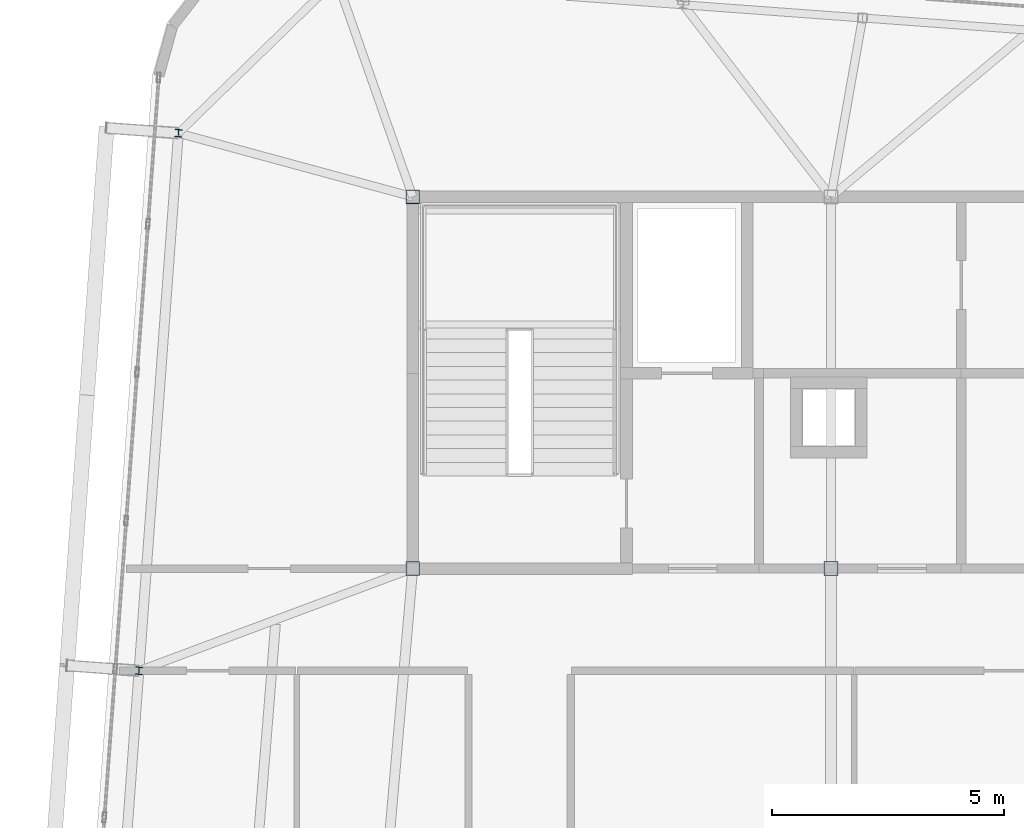
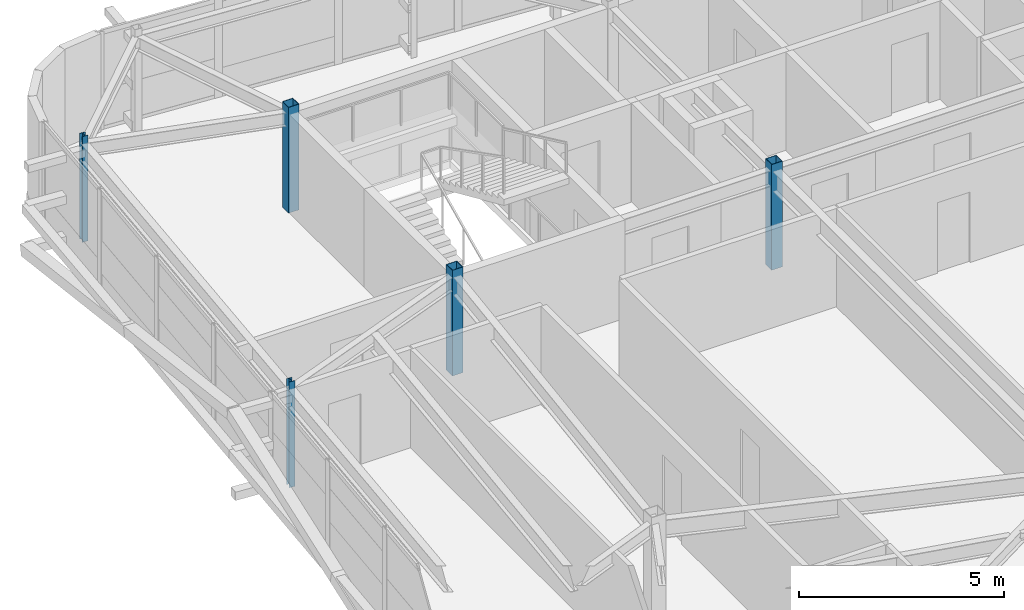
# One storey, part 3 of 42: 5 columns.
"""IFC4 building model written with IfcOpenShell, lengths in metres."""

from ifc_helpers import new_model, si_unit, direction, frame, origin, origin_2d, place, context, subcontext, project, spatial, hollow_rectangle, i_section, extrude, source, transform, mapped, material, material_profile, profile_set, type_object, element, save


model = new_model("IFC4")

# Units and contexts
model_context = context("Model", 3, precision=1e-05, world=origin(), true_north=direction((0.0, 1.0)))
body_context = subcontext(model_context, "Body", "Model", "MODEL_VIEW")
ifc_project = project(units=[si_unit("LENGTHUNIT", "METRE"), si_unit("AREAUNIT", "SQUARE_METRE"), si_unit("VOLUMEUNIT", "CUBIC_METRE"), si_unit("PLANEANGLEUNIT", "RADIAN"), si_unit("MASSUNIT", "GRAM", prefix="KILO")], contexts=[model_context])

# Site, building, storey
site_placement = place(None, origin())
site = spatial("IfcSite", under=ifc_project, at=site_placement, CompositionType="ELEMENT")
building_placement = place(site_placement, origin())
building = spatial("IfcBuilding", under=site, at=building_placement, Name="Taldren Reach Tower", CompositionType="ELEMENT")
storey_placement = place(building_placement, frame((0.0, 0.0, 217.699951171875)))
storey = spatial("IfcBuildingStorey", under=building, at=storey_placement, Name="L66", CompositionType="ELEMENT", Elevation=217.699951171875)

# Columns
ifc_material_1 = material(Name="Steel Gr 450 (C450L0)", Category="steel")
ifc_material_profile_1 = material_profile(ifc_material_1, hollow_rectangle(XDim=0.300048828125, YDim=0.300048828125, WallThickness=0.012451171875, at=origin_2d()), Name="300x300x12.5SHS")
ifc_profile_set_1 = profile_set([ifc_material_profile_1], Name="Steel Gr 450 (C450L0)")
column_type_1 = type_object("IfcColumnType", Name="COL-SHS300", PredefinedType="COLUMN", material=ifc_profile_set_1)
shared_shape_1 = source(origin(), body_context, "Body", "SweptSolid", [
    extrude(hollow_rectangle(XDim=0.300048828125, YDim=0.300048828125, WallThickness=0.012451171875, at=origin_2d()), origin(), (0.0, 0.0, 1.0), 3.150146484375),
])
for number, where, z_axis, x_axis, name in (
    (1, (19.0, 24.0, 0.0), (0.0, 0.0, 1.0), (1.0, 0.0, 0.0), "Mega column MC-C1 L66"),
    (2, (28.0, 24.0, 0.0), (0.0, 0.0, 1.0), (1.0, 0.0, 0.0), "Mega column MC-C2 L66"),
    (3, (19.0, 32.0, 0.0), (0.0, 0.0, 1.0), (1.0, 0.0, 0.0), "Mega column MC-C5 L66"),
):
    element("IfcColumn", number, at=place(storey_placement, frame(where, z_axis=z_axis, x_axis=x_axis)), inside=storey, type_object=column_type_1, Name=name, PredefinedType="COLUMN", context=body_context, shape_type="MappedRepresentation", body=[
        mapped(shared_shape_1, transform((0.0, 0.0, 0.0), scale=1.0)),
    ])
ifc_material_2 = material(Name="Steel Gr 350 (350PLUS)", Category="steel")
ifc_material_profile_2 = material_profile(ifc_material_2, i_section(OverallWidth=0.154052734375, OverallDepth=0.162109375, WebThickness=0.008056640625, FlangeThickness=0.011474609375, at=origin_2d()), Name="150UC37.2")
ifc_profile_set_2 = profile_set([ifc_material_profile_2], Name="Steel Gr 350 (350PLUS)")
column_type_2 = type_object("IfcColumnType", Name="COL-UC150", PredefinedType="COLUMN", material=ifc_profile_set_2)
shared_shape_2 = source(origin(), body_context, "Body", "SweptSolid", [
    extrude(i_section(OverallWidth=0.154052734375, OverallDepth=0.162109375, WebThickness=0.008056640625, FlangeThickness=0.011474609375, at=origin_2d()), origin(), (0.0, 0.0, 1.0), 3.150146484375),
])
for number, where, z_axis, x_axis, name in (
    (4, (13.108642578125, 21.80029296875, 0.0), (0.0, 0.0, 1.0), (0.997314477224, -0.073238197128, 0.0), "Block B5 perimeter column W2 L66"),
    (5, (13.958251953125, 33.369140625, 0.0), (0.0, 0.0, 1.0), (0.997314477224, -0.073238197128, 0.0), "Block B5 perimeter column W3 L66"),
):
    element("IfcColumn", number, at=place(storey_placement, frame(where, z_axis=z_axis, x_axis=x_axis)), inside=storey, type_object=column_type_2, Name=name, PredefinedType="COLUMN", context=body_context, shape_type="MappedRepresentation", body=[
        mapped(shared_shape_2, transform((0.0, 0.0, 0.0), scale=1.0)),
    ])

save(model, "model.ifc")
